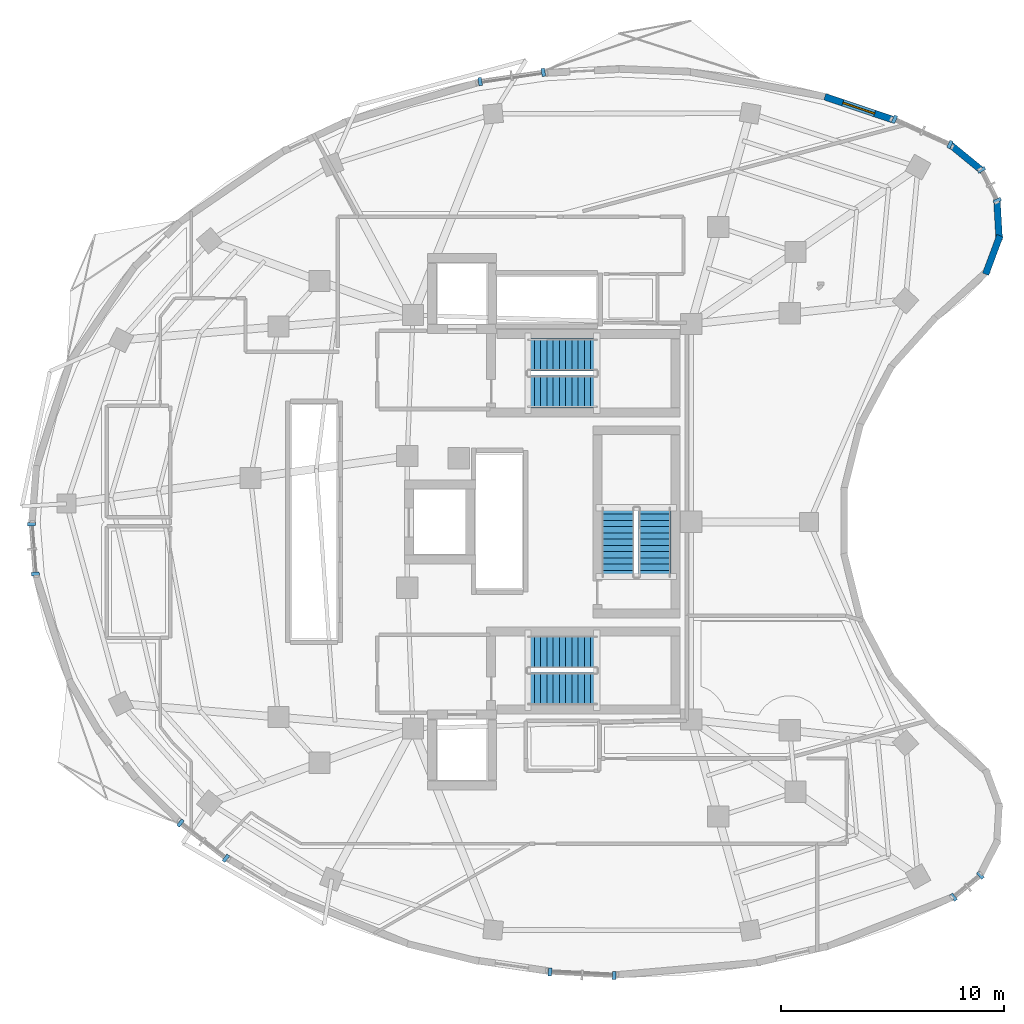
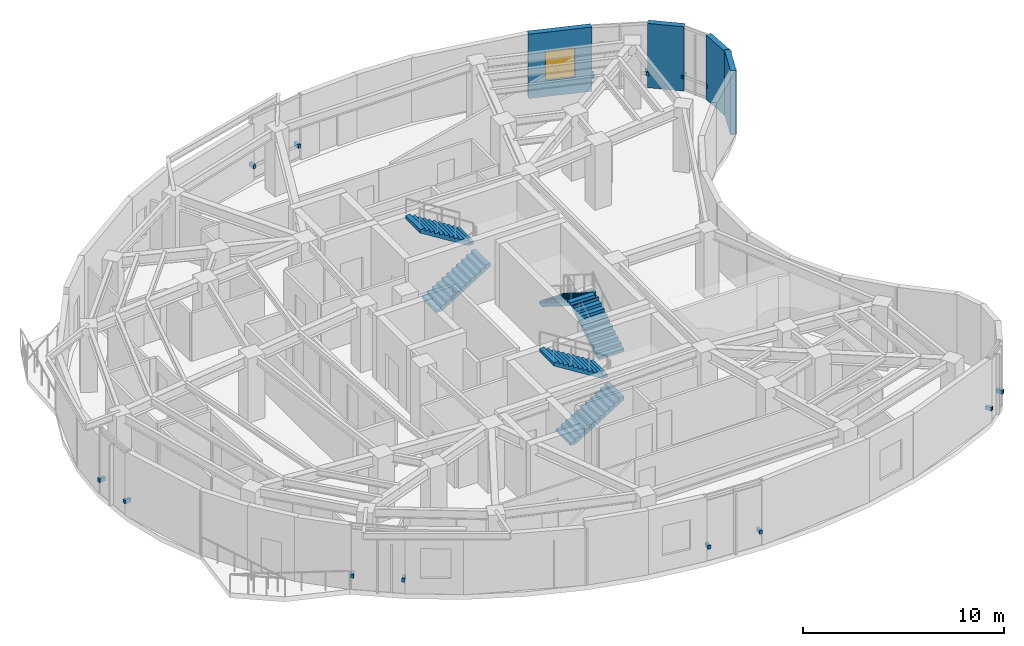
# One storey, part 10 of 13: 14 discrete accessories, 6 stair flights, 4 walls, 1 window, 1 opening, 3 elements without a shape of their own.
"""IFC4 building model written with IfcOpenShell, lengths in metres."""

from ifc_helpers import new_model, si_unit, direction, frame, frame_2d, origin, origin_2d, place, context, subcontext, project, spatial, polyline, rectangle, outline, extrude, material, layer, layer_set, type_object, element, fill, aggregate, save


model = new_model("IFC4")

# Units and contexts
model_context = context("Model", 3, precision=1e-05, world=origin(), true_north=direction((0.0, 1.0)))
body_context = subcontext(model_context, "Body", "Model", "MODEL_VIEW")
ifc_project = project(units=[si_unit("LENGTHUNIT", "METRE"), si_unit("AREAUNIT", "SQUARE_METRE"), si_unit("VOLUMEUNIT", "CUBIC_METRE"), si_unit("PLANEANGLEUNIT", "RADIAN"), si_unit("MASSUNIT", "GRAM", prefix="KILO")], contexts=[model_context])

# Site, building, storey
site_placement = place(None, origin())
site = spatial("IfcSite", under=ifc_project, at=site_placement, CompositionType="ELEMENT")
building_placement = place(site_placement, origin())
building = spatial("IfcBuilding", under=site, at=building_placement, Name="Korentha Bioscience Tower", CompositionType="ELEMENT")
storey_placement = place(building_placement, frame((0.0, 0.0, 268.800048828125)))
storey = spatial("IfcBuildingStorey", under=building, at=storey_placement, Name="L62", CompositionType="ELEMENT", Elevation=268.800048828125)

# Wall, opening, window
ifc_material_1 = material(Name="Honed Limestone Precast Concrete C40", Category="masonry")
ifc_layer = layer(ifc_material_1, 0.300048828125, Name="Honed Limestone Precast Concrete C40")
ifc_layer_set = layer_set([ifc_layer], Name="Honed Limestone Precast Concrete C40 (EW-ST300)")
wall_type = type_object("IfcWallType", Name="Honed Limestone Cavity Spandrel Wall 300", PredefinedType="STANDARD", material=ifc_layer_set)
wall_placement = place(storey_placement, frame((46.568603515625, 45.000244140625, 0.0), z_axis=(0.0, 0.0, 1.0), x_axis=(-0.947657235502, 0.319289467413, 0.0)))
wall = element("IfcWall", 1, at=wall_placement, inside=storey, type_object=wall_type, Name="L62 Honed Limestone Spandrel Wall 02", PredefinedType="STANDARD", context=body_context, shape_type="SweptSolid", body=[
    extrude(rectangle(XDim=3.203857421875, YDim=0.300048828125, at=frame_2d((1.60205078125, 0.0))), origin(), (0.0, 0.0, 1.0), 3.89990234375),
])
opening_placement = place(wall_placement, frame((0.851806640625, 0.0, 0.949951171875)))
opening = element("IfcOpeningElement", 2, at=opening_placement, cuts=wall, Name="Opening WN-02", PredefinedType="OPENING", context=body_context, shape_type="SweptSolid", body=[
    extrude(rectangle(XDim=1.5, YDim=1.800048828125, at=frame_2d((0.75, 0.89990234375))), frame((0.0, 0.1650390625, 0.0), z_axis=(0.0, -1.0, 0.0), x_axis=(1.0, 0.0, 0.0)), (0.0, 0.0, 1.0), 0.329833984375),
])
ifc_material_2 = material(Name="Thermally Broken Aluminium Triple Glazing", Category="aluminium")
window_type = type_object("IfcWindowType", Name="Acoustic Operable Office Window 1500x1800", PartitioningType="DOUBLE_PANEL_VERTICAL", PredefinedType="WINDOW", material=ifc_material_2)
window_placement = place(opening_placement, origin())
window = element("IfcWindow", 3, at=window_placement, inside=storey, type_object=window_type, Name="L62 Facade Window 02", OverallHeight=1.800048828125, OverallWidth=1.5, PartitioningType="DOUBLE_PANEL_VERTICAL", PredefinedType="WINDOW", context=body_context, shape_type="SweptSolid", body=[
    extrude(rectangle(XDim=1.5, YDim=1.800048828125, at=frame_2d((0.75, 0.89990234375))), frame((0.0, 0.030029296875, 0.0), z_axis=(0.0, -1.0, 0.0), x_axis=(1.0, 0.0, 0.0)), (0.0, 0.0, 1.0), 0.06005859375),
])
fill(opening, window)

# Walls
for number, where, z_axis, x_axis, name in (
    (4, (50.726806640625, 38.08056640625, 0.0), (0.0, 0.0, 1.0), (0.348928688775, 0.937149278477, 0.0), "L62 Limestone Perimeter Closure Wall 59"),
    (5, (51.33740234375, 39.594482421875, 0.0), (0.0, 0.0, 1.0), (-0.057400886187, 0.998351209878, 0.0), "L62 Limestone Perimeter Closure Wall 60"),
    (6, (50.58544921875, 42.70068359375, 0.0), (0.0, 0.0, 1.0), (-0.774228937895, 0.63290564204, 0.0), "L62 Limestone Perimeter Closure Wall 62"),
):
    element("IfcWall", number, at=place(storey_placement, frame(where, z_axis=z_axis, x_axis=x_axis)), inside=storey, type_object=wall_type, Name=name, PredefinedType="STANDARD", context=body_context, shape_type="SweptSolid", body=[
        extrude(rectangle(XDim=1.841552734375, YDim=0.300048828125, at=frame_2d((0.9208984375, 0.0))), origin(), (0.0, 0.0, 1.0), 3.89990234375),
    ])

# Stair, stair flights
ifc_material_3 = material(Name="Precast Concrete C50", Category="concrete")
stair_type = type_object("IfcStairType", Name="Core Exit Dog-Leg Stair 1450", PredefinedType="HALF_TURN_STAIR", material=ifc_material_3)
stair_1_placement = place(storey_placement, origin())
stair_1 = element("IfcStair", 7, at=stair_1_placement, inside=storey, type_object=stair_type, Name="L62 Tower North Pressurized Exit Stair ST-1", PredefinedType="HALF_TURN_STAIR")
stair_flight_type = type_object("IfcStairFlightType", Name="Core Exit Dog-Leg Stair 1450 Flight", PredefinedType="STRAIGHT", material=ifc_material_3)
stair_flight_1_placement = place(storey_placement, frame((30.25, 32.824951171875, 0.0), z_axis=(0.0, 0.0, 1.0), x_axis=(1.0, 0.0, 0.0)))
stair_flight_1 = element("IfcStairFlight", 8, at=stair_flight_1_placement, type_object=stair_flight_type, Name="ST-1 flight 1", NumberOfRisers=12, NumberOfTreads=11, PredefinedType="STRAIGHT", RiserHeight=0.175, TreadLength=0.28, context=body_context, shape_type="SweptSolid", body=[
    extrude(outline(polyline([(0.0, 0.0), (0.0, 0.175048828125), (0.280029296875, 0.175048828125), (0.280029296875, 0.35009765625), (0.56005859375, 0.35009765625), (0.56005859375, 0.52490234375), (0.840087890625, 0.52490234375), (0.840087890625, 0.699951171875), (1.1201171875, 0.699951171875), (1.1201171875, 0.875), (1.39990234375, 0.875), (1.39990234375, 1.050048828125), (1.679931640625, 1.050048828125), (1.679931640625, 1.22509765625), (1.9599609375, 1.22509765625), (1.9599609375, 1.39990234375), (2.239990234375, 1.39990234375), (2.239990234375, 1.574951171875), (2.52001953125, 1.574951171875), (2.52001953125, 1.75), (2.800048828125, 1.75), (2.800048828125, 1.925048828125), (3.080078125, 1.925048828125), (3.080078125, 2.10009765625), (3.080078125, 1.736328125), (0.3017578125, 0.0), (0.0, 0.0)])), frame((0.0, 0.72509765625, 0.0), z_axis=(0.0, -1.0, 0.0), x_axis=(1.0, 0.0, 0.0)), (0.0, 0.0, 1.0), 1.449951171875),
])
stair_flight_2_placement = place(storey_placement, frame((33.330078125, 34.47509765625, 2.099853515625), z_axis=(0.0, 0.0, 1.0), x_axis=(-1.0, 0.0, 0.0)))
stair_flight_2 = element("IfcStairFlight", 9, at=stair_flight_2_placement, type_object=stair_flight_type, Name="ST-1 flight 2", NumberOfRisers=12, NumberOfTreads=11, PredefinedType="STRAIGHT", RiserHeight=0.175, TreadLength=0.28, context=body_context, shape_type="SweptSolid", body=[
    extrude(outline(polyline([(0.0, 0.0), (0.0, 0.175048828125), (0.280029296875, 0.175048828125), (0.280029296875, 0.35009765625), (0.56005859375, 0.35009765625), (0.56005859375, 0.52490234375), (0.840087890625, 0.52490234375), (0.840087890625, 0.699951171875), (1.1201171875, 0.699951171875), (1.1201171875, 0.875), (1.39990234375, 0.875), (1.39990234375, 1.050048828125), (1.679931640625, 1.050048828125), (1.679931640625, 1.22509765625), (1.9599609375, 1.22509765625), (1.9599609375, 1.39990234375), (2.239990234375, 1.39990234375), (2.239990234375, 1.574951171875), (2.52001953125, 1.574951171875), (2.52001953125, 1.75), (2.800048828125, 1.75), (2.800048828125, 1.925048828125), (3.080078125, 1.925048828125), (3.080078125, 2.10009765625), (3.080078125, 1.736328125), (0.3017578125, 0.0), (0.0, 0.0)])), frame((0.0, 0.72509765625, 0.0), z_axis=(0.0, -1.0, 0.0), x_axis=(1.0, 0.0, 0.0)), (0.0, 0.0, 1.0), 1.449951171875),
])
aggregate(stair_1, [stair_flight_1, stair_flight_2])

stair_2_placement = place(storey_placement, origin())
stair_2 = element("IfcStair", 10, at=stair_2_placement, inside=storey, type_object=stair_type, Name="L62 Tower South Pressurized Exit Stair ST-2", PredefinedType="HALF_TURN_STAIR")
stair_flight_3_placement = place(storey_placement, frame((30.25, 19.52490234375, 0.0), z_axis=(0.0, 0.0, 1.0), x_axis=(1.0, 0.0, 0.0)))
stair_flight_3 = element("IfcStairFlight", 11, at=stair_flight_3_placement, type_object=stair_flight_type, Name="ST-2 flight 1", NumberOfRisers=12, NumberOfTreads=11, PredefinedType="STRAIGHT", RiserHeight=0.175, TreadLength=0.28, context=body_context, shape_type="SweptSolid", body=[
    extrude(outline(polyline([(0.0, 0.0), (0.0, 0.175048828125), (0.280029296875, 0.175048828125), (0.280029296875, 0.35009765625), (0.56005859375, 0.35009765625), (0.56005859375, 0.52490234375), (0.840087890625, 0.52490234375), (0.840087890625, 0.699951171875), (1.1201171875, 0.699951171875), (1.1201171875, 0.875), (1.39990234375, 0.875), (1.39990234375, 1.050048828125), (1.679931640625, 1.050048828125), (1.679931640625, 1.22509765625), (1.9599609375, 1.22509765625), (1.9599609375, 1.39990234375), (2.239990234375, 1.39990234375), (2.239990234375, 1.574951171875), (2.52001953125, 1.574951171875), (2.52001953125, 1.75), (2.800048828125, 1.75), (2.800048828125, 1.925048828125), (3.080078125, 1.925048828125), (3.080078125, 2.10009765625), (3.080078125, 1.736328125), (0.3017578125, 0.0), (0.0, 0.0)])), frame((0.0, 0.72509765625, 0.0), z_axis=(0.0, -1.0, 0.0), x_axis=(1.0, 0.0, 0.0)), (0.0, 0.0, 1.0), 1.449951171875),
])
stair_flight_4_placement = place(storey_placement, frame((33.330078125, 21.175048828125, 2.099853515625), z_axis=(0.0, 0.0, 1.0), x_axis=(-1.0, 0.0, 0.0)))
stair_flight_4 = element("IfcStairFlight", 12, at=stair_flight_4_placement, type_object=stair_flight_type, Name="ST-2 flight 2", NumberOfRisers=12, NumberOfTreads=11, PredefinedType="STRAIGHT", RiserHeight=0.175, TreadLength=0.28, context=body_context, shape_type="SweptSolid", body=[
    extrude(outline(polyline([(0.0, 0.0), (0.0, 0.175048828125), (0.280029296875, 0.175048828125), (0.280029296875, 0.35009765625), (0.56005859375, 0.35009765625), (0.56005859375, 0.52490234375), (0.840087890625, 0.52490234375), (0.840087890625, 0.699951171875), (1.1201171875, 0.699951171875), (1.1201171875, 0.875), (1.39990234375, 0.875), (1.39990234375, 1.050048828125), (1.679931640625, 1.050048828125), (1.679931640625, 1.22509765625), (1.9599609375, 1.22509765625), (1.9599609375, 1.39990234375), (2.239990234375, 1.39990234375), (2.239990234375, 1.574951171875), (2.52001953125, 1.574951171875), (2.52001953125, 1.75), (2.800048828125, 1.75), (2.800048828125, 1.925048828125), (3.080078125, 1.925048828125), (3.080078125, 2.10009765625), (3.080078125, 1.736328125), (0.3017578125, 0.0), (0.0, 0.0)])), frame((0.0, 0.72509765625, 0.0), z_axis=(0.0, -1.0, 0.0), x_axis=(1.0, 0.0, 0.0)), (0.0, 0.0, 1.0), 1.449951171875),
])
aggregate(stair_2, [stair_flight_3, stair_flight_4])

stair_3_placement = place(storey_placement, origin())
stair_3 = element("IfcStair", 13, at=stair_3_placement, inside=storey, type_object=stair_type, Name="L62 Tower Central Pressurized Exit Stair ST-3", PredefinedType="HALF_TURN_STAIR")
stair_flight_5_placement = place(storey_placement, frame((35.925048828125, 24.550048828125, 0.0), z_axis=(0.0, 0.0, 1.0), x_axis=(0.0, 1.0, 0.0)))
stair_flight_5 = element("IfcStairFlight", 14, at=stair_flight_5_placement, type_object=stair_flight_type, Name="ST-3 flight 1", NumberOfRisers=12, NumberOfTreads=11, PredefinedType="STRAIGHT", RiserHeight=0.175, TreadLength=0.28, context=body_context, shape_type="SweptSolid", body=[
    extrude(outline(polyline([(0.0, 0.0), (0.0, 0.175048828125), (0.280029296875, 0.175048828125), (0.280029296875, 0.35009765625), (0.56005859375, 0.35009765625), (0.56005859375, 0.52490234375), (0.840087890625, 0.52490234375), (0.840087890625, 0.699951171875), (1.1201171875, 0.699951171875), (1.1201171875, 0.875), (1.39990234375, 0.875), (1.39990234375, 1.050048828125), (1.679931640625, 1.050048828125), (1.679931640625, 1.22509765625), (1.9599609375, 1.22509765625), (1.9599609375, 1.39990234375), (2.239990234375, 1.39990234375), (2.239990234375, 1.574951171875), (2.52001953125, 1.574951171875), (2.52001953125, 1.75), (2.800048828125, 1.75), (2.800048828125, 1.925048828125), (3.080078125, 1.925048828125), (3.080078125, 2.10009765625), (3.080078125, 1.736328125), (0.3017578125, 0.0), (0.0, 0.0)])), frame((0.0, 0.72509765625, 0.0), z_axis=(0.0, -1.0, 0.0), x_axis=(1.0, 0.0, 0.0)), (0.0, 0.0, 1.0), 1.449951171875),
])
stair_flight_6_placement = place(storey_placement, frame((34.27490234375, 27.6298828125, 2.099853515625), z_axis=(0.0, 0.0, 1.0), x_axis=(0.0, -1.0, 0.0)))
stair_flight_6 = element("IfcStairFlight", 15, at=stair_flight_6_placement, type_object=stair_flight_type, Name="ST-3 flight 2", NumberOfRisers=12, NumberOfTreads=11, PredefinedType="STRAIGHT", RiserHeight=0.175, TreadLength=0.28, context=body_context, shape_type="SweptSolid", body=[
    extrude(outline(polyline([(0.0, 0.0), (0.0, 0.175048828125), (0.280029296875, 0.175048828125), (0.280029296875, 0.35009765625), (0.56005859375, 0.35009765625), (0.56005859375, 0.52490234375), (0.840087890625, 0.52490234375), (0.840087890625, 0.699951171875), (1.1201171875, 0.699951171875), (1.1201171875, 0.875), (1.39990234375, 0.875), (1.39990234375, 1.050048828125), (1.679931640625, 1.050048828125), (1.679931640625, 1.22509765625), (1.9599609375, 1.22509765625), (1.9599609375, 1.39990234375), (2.239990234375, 1.39990234375), (2.239990234375, 1.574951171875), (2.52001953125, 1.574951171875), (2.52001953125, 1.75), (2.800048828125, 1.75), (2.800048828125, 1.925048828125), (3.080078125, 1.925048828125), (3.080078125, 2.10009765625), (3.080078125, 1.736328125), (0.3017578125, 0.0), (0.0, 0.0)])), frame((0.0, 0.72509765625, 0.0), z_axis=(0.0, -1.0, 0.0), x_axis=(1.0, 0.0, 0.0)), (0.0, 0.0, 1.0), 1.449951171875),
])
aggregate(stair_3, [stair_flight_5, stair_flight_6])

# Discrete accessories
ifc_material_4 = material(Name="Stainless Steel 316", Category="steel")
discrete_accessory_type = type_object("IfcDiscreteAccessoryType", Name="Stainless Steel Solar-Screen Outrigger Bracket", PredefinedType="BRACKET", material=ifc_material_4)
for number, where, z_axis, x_axis, name in (
    (16, (49.1318359375, 43.884033203125, 0.73974609375), (0.0, 0.0, 1.0), (-0.910604060449, 0.413279862918, 0.0), "CW-L62-01 Solar-Screen Support Bracket 1"),
    (17, (46.650146484375, 45.010498046875, 0.73974609375), (0.0, 0.0, 1.0), (-0.910604060449, 0.413279862918, 0.0), "CW-L62-01 Solar-Screen Support Bracket 2"),
    (18, (30.935302734375, 47.11572265625, 0.73974609375), (0.0, 0.0, 1.0), (-0.989459665324, -0.144808738328, 0.0), "CW-L62-07 Solar-Screen Support Bracket 1"),
    (19, (28.107666015625, 46.701904296875, 0.73974609375), (0.0, 0.0, 1.0), (-0.989459665324, -0.144808738328, 0.0), "CW-L62-07 Solar-Screen Support Bracket 2"),
    (20, (8.02734375, 26.896728515625, 0.73974609375), (0.0, 0.0, 1.0), (0.078035250492, -0.996950600421, 0.0), "CW-L62-19 Solar-Screen Support Bracket 1"),
    (21, (8.20166015625, 24.671875, 0.73974609375), (0.0, 0.0, 1.0), (0.078035250492, -0.996950600421, 0.0), "CW-L62-19 Solar-Screen Support Bracket 2"),
    (22, (14.6982421875, 13.52197265625, 0.73974609375), (0.0, 0.0, 1.0), (0.790487520139, -0.612478146961, 0.0), "CW-L62-25 Solar-Screen Support Bracket 1"),
    (23, (16.7314453125, 11.946533203125, 0.73974609375), (0.0, 0.0, 1.0), (0.790487520139, -0.612478146961, 0.0), "CW-L62-25 Solar-Screen Support Bracket 2"),
    (24, (31.234375, 6.854736328125, 0.73974609375), (0.0, 0.0, 1.0), (0.998636113937, -0.052210266622, 0.0), "CW-L62-31 Solar-Screen Support Bracket 1"),
    (25, (34.10595703125, 6.70458984375, 0.73974609375), (0.0, 0.0, 1.0), (0.998636113937, -0.052210266622, 0.0), "CW-L62-31 Solar-Screen Support Bracket 2"),
    (26, (49.29150390625, 10.202880859375, 0.73974609375), (0.0, 0.0, 1.0), (0.774235415138, 0.632897718393, 0.0), "CW-L62-37 Solar-Screen Support Bracket 1"),
    (27, (50.49169921875, 11.18408203125, 0.73974609375), (0.0, 0.0, 1.0), (0.774235415138, 0.632897718393, 0.0), "CW-L62-37 Solar-Screen Support Bracket 2"),
    (28, (51.248291015625, 41.3701171875, 0.73974609375), (0.0, 0.0, 1.0), (-0.454238686477, 0.890880023184, 0.0), "CW-L62-61 Solar-Screen Support Bracket 1"),
    (29, (50.544189453125, 42.7509765625, 0.73974609375), (0.0, 0.0, 1.0), (-0.454238686477, 0.890880023184, 0.0), "CW-L62-61 Solar-Screen Support Bracket 2"),
):
    element("IfcDiscreteAccessory", number, at=place(storey_placement, frame(where, z_axis=z_axis, x_axis=x_axis)), inside=storey, type_object=discrete_accessory_type, Name=name, PredefinedType="BRACKET", context=body_context, shape_type="SweptSolid", body=[
        extrude(rectangle(XDim=0.159912109375, YDim=0.360107421875, at=origin_2d()), origin(), (0.0, 0.0, 1.0), 0.219970703125),
    ])

save(model, "model.ifc")
